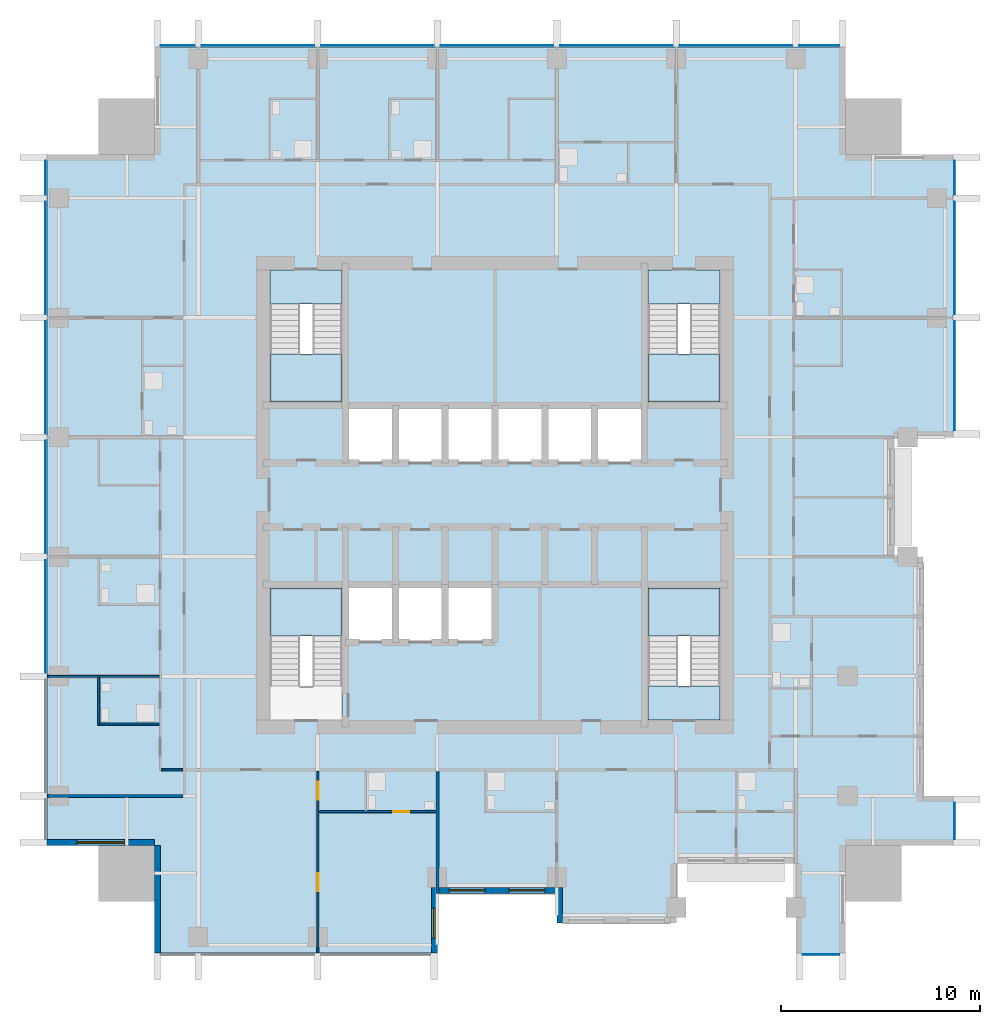
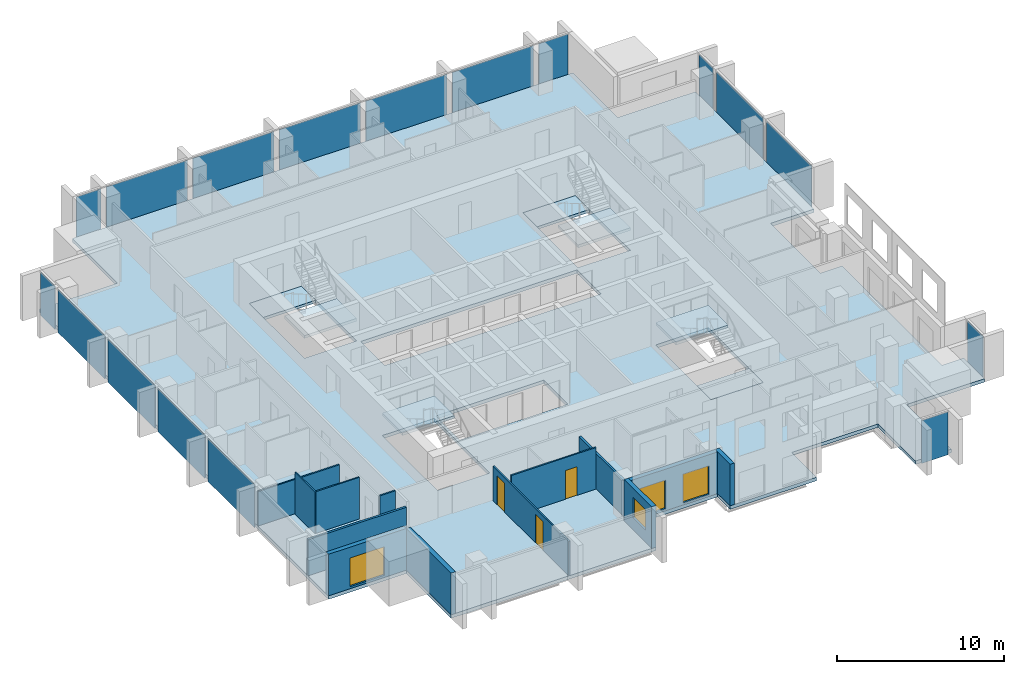
# One storey, part 3 of 11: 17 plates, 13 walls, 8 slabs, 4 windows, 3 doors, 7 openings, 9 elements without a shape of their own.
"""IFC4 building model written with IfcOpenShell, lengths in metres."""

from ifc_helpers import new_model, si_unit, direction, frame, frame_2d, origin, origin_2d, place, context, subcontext, project, spatial, polyline, rectangle, outline, extrude, material, layer, layer_set, type_object, element, fill, aggregate, save


model = new_model("IFC4")

# Units and contexts
model_context = context("Model", 3, precision=1e-05, world=origin(), true_north=direction((0.0, 1.0)))
body_context = subcontext(model_context, "Body", "Model", "MODEL_VIEW")
ifc_project = project(units=[si_unit("LENGTHUNIT", "METRE"), si_unit("AREAUNIT", "SQUARE_METRE"), si_unit("VOLUMEUNIT", "CUBIC_METRE"), si_unit("PLANEANGLEUNIT", "RADIAN"), si_unit("MASSUNIT", "GRAM", prefix="KILO")], contexts=[model_context])

# Site, building, storey
site_placement = place(None, origin())
site = spatial("IfcSite", under=ifc_project, at=site_placement, CompositionType="ELEMENT")
building_placement = place(site_placement, origin())
building = spatial("IfcBuilding", under=site, at=building_placement, Name="Amberfall Residences", CompositionType="ELEMENT")
storey_placement = place(building_placement, frame((0.0, 0.0, 171.39990234375)))
storey = spatial("IfcBuildingStorey", under=building, at=storey_placement, Name="L46", CompositionType="ELEMENT", Elevation=171.39990234375)

# Curtain wall, plate
ifc_material_1 = material(Name="Bronze anodised aluminium and glass", Category="aluminium")
curtain_wall_type = type_object("IfcCurtainWallType", Name="Curtain wall CW1 tower unit", PredefinedType="USERDEFINED", material=ifc_material_1)
curtain_wall_1_placement = place(storey_placement, origin())
curtain_wall_1 = element("IfcCurtainWall", 1, at=curtain_wall_1_placement, inside=storey, type_object=curtain_wall_type, Name="Curtain wall L46 S S9", ObjectType="UNITISED CURTAIN WALL", PredefinedType="USERDEFINED")
ifc_material_2 = material(Name="Tinted double glazed unit", Category="glass")
ifc_layer_1 = layer(ifc_material_2, 0.035888671875)
ifc_layer_set_1 = layer_set([ifc_layer_1], Name="CW1 panel 36 glazing")
plate_type = type_object("IfcPlateType", Name="CW1 panel 36 glazing", PredefinedType="CURTAIN_PANEL", material=ifc_layer_set_1)
plate_1_placement = place(storey_placement, frame((90.875, 22.425048828125, -0.249755859375), z_axis=(0.0, 0.0, 1.0), x_axis=(1.0, 0.0, 0.0)))
plate_1 = element("IfcPlate", 2, at=plate_1_placement, type_object=plate_type, Name="CW1 panel 1.1", PredefinedType="CURTAIN_PANEL", context=body_context, shape_type="SweptSolid", body=[
    extrude(rectangle(XDim=1.825927734375, YDim=0.035888671875, at=origin_2d()), origin(), (0.0, 0.0, 1.0), 3.14990234375),
])
aggregate(curtain_wall_1, [plate_1])

curtain_wall_2_placement = place(storey_placement, origin())
curtain_wall_2 = element("IfcCurtainWall", 3, at=curtain_wall_2_placement, inside=storey, type_object=curtain_wall_type, Name="Curtain wall L46 E E1", ObjectType="UNITISED CURTAIN WALL", PredefinedType="USERDEFINED")
plate_2_placement = place(storey_placement, frame((97.574951171875, 29.125, -0.249755859375), z_axis=(0.0, 0.0, 1.0), x_axis=(0.0, 1.0, 0.0)))
plate_2 = element("IfcPlate", 4, at=plate_2_placement, type_object=plate_type, Name="CW1 panel 1.1", PredefinedType="CURTAIN_PANEL", context=body_context, shape_type="SweptSolid", body=[
    extrude(rectangle(XDim=1.825927734375, YDim=0.035888671875, at=origin_2d()), origin(), (0.0, 0.0, 1.0), 3.14990234375),
])
aggregate(curtain_wall_2, [plate_2])

# Curtain wall, plates
curtain_wall_3_placement = place(storey_placement, origin())
curtain_wall_3 = element("IfcCurtainWall", 5, at=curtain_wall_3_placement, inside=storey, type_object=curtain_wall_type, Name="Curtain wall L46 E E8", ObjectType="UNITISED CURTAIN WALL", PredefinedType="USERDEFINED")
plate_3_placement = place(storey_placement, frame((97.574951171875, 51.487548828125, -0.249755859375), z_axis=(0.0, 0.0, 1.0), x_axis=(0.0, 1.0, 0.0)))
plate_3 = element("IfcPlate", 6, at=plate_3_placement, type_object=plate_type, Name="CW1 panel 1.1", PredefinedType="CURTAIN_PANEL", context=body_context, shape_type="SweptSolid", body=[
    extrude(rectangle(XDim=5.450927734375, YDim=0.035888671875, at=origin_2d()), origin(), (0.0, 0.0, 1.0), 3.14990234375),
])
plate_4_placement = place(storey_placement, frame((97.574951171875, 57.39990234375, -0.249755859375), z_axis=(0.0, 0.0, 1.0), x_axis=(0.0, 1.0, 0.0)))
plate_4 = element("IfcPlate", 7, at=plate_4_placement, type_object=plate_type, Name="CW1 panel 2.1", PredefinedType="CURTAIN_PANEL", context=body_context, shape_type="SweptSolid", body=[
    extrude(rectangle(XDim=5.6259765625, YDim=0.035888671875, at=origin_2d()), origin(), (0.0, 0.0, 1.0), 3.14990234375),
])
plate_5_placement = place(storey_placement, frame((97.574951171875, 61.4375, -0.249755859375), z_axis=(0.0, 0.0, 1.0), x_axis=(0.0, 1.0, 0.0)))
plate_5 = element("IfcPlate", 8, at=plate_5_placement, type_object=plate_type, Name="CW1 panel 3.1", PredefinedType="CURTAIN_PANEL", context=body_context, shape_type="SweptSolid", body=[
    extrude(rectangle(XDim=1.700927734375, YDim=0.035888671875, at=origin_2d()), origin(), (0.0, 0.0, 1.0), 3.14990234375),
])
aggregate(curtain_wall_3, [plate_3, plate_4, plate_5])

curtain_wall_4_placement = place(storey_placement, origin())
curtain_wall_4 = element("IfcCurtainWall", 9, at=curtain_wall_4_placement, inside=storey, type_object=curtain_wall_type, Name="Curtain wall L46 N N1", ObjectType="UNITISED CURTAIN WALL", PredefinedType="USERDEFINED")
plate_6_placement = place(storey_placement, frame((90.78759765625, 68.074951171875, -0.249755859375), z_axis=(0.0, 0.0, 1.0), x_axis=(-1.0, 0.0, 0.0)))
plate_6 = element("IfcPlate", 10, at=plate_6_placement, type_object=plate_type, Name="CW1 panel 1.1", PredefinedType="CURTAIN_PANEL", context=body_context, shape_type="SweptSolid", body=[
    extrude(rectangle(XDim=2.0009765625, YDim=0.035888671875, at=origin_2d()), origin(), (0.0, 0.0, 1.0), 3.14990234375),
])
plate_7_placement = place(storey_placement, frame((86.60009765625, 68.074951171875, -0.249755859375), z_axis=(0.0, 0.0, 1.0), x_axis=(-1.0, 0.0, 0.0)))
plate_7 = element("IfcPlate", 11, at=plate_7_placement, type_object=plate_type, Name="CW1 panel 2.1", PredefinedType="CURTAIN_PANEL", context=body_context, shape_type="SweptSolid", body=[
    extrude(rectangle(XDim=5.6259765625, YDim=0.035888671875, at=origin_2d()), origin(), (0.0, 0.0, 1.0), 3.14990234375),
])
plate_8_placement = place(storey_placement, frame((80.60009765625, 68.074951171875, -0.249755859375), z_axis=(0.0, 0.0, 1.0), x_axis=(-1.0, 0.0, 0.0)))
plate_8 = element("IfcPlate", 12, at=plate_8_placement, type_object=plate_type, Name="CW1 panel 3.1", PredefinedType="CURTAIN_PANEL", context=body_context, shape_type="SweptSolid", body=[
    extrude(rectangle(XDim=5.6259765625, YDim=0.035888671875, at=origin_2d()), origin(), (0.0, 0.0, 1.0), 3.14990234375),
])
plate_9_placement = place(storey_placement, frame((74.60009765625, 68.074951171875, -0.249755859375), z_axis=(0.0, 0.0, 1.0), x_axis=(-1.0, 0.0, 0.0)))
plate_9 = element("IfcPlate", 13, at=plate_9_placement, type_object=plate_type, Name="CW1 panel 4.1", PredefinedType="CURTAIN_PANEL", context=body_context, shape_type="SweptSolid", body=[
    extrude(rectangle(XDim=5.6259765625, YDim=0.035888671875, at=origin_2d()), origin(), (0.0, 0.0, 1.0), 3.14990234375),
])
plate_10_placement = place(storey_placement, frame((68.60009765625, 68.074951171875, -0.249755859375), z_axis=(0.0, 0.0, 1.0), x_axis=(-1.0, 0.0, 0.0)))
plate_10 = element("IfcPlate", 14, at=plate_10_placement, type_object=plate_type, Name="CW1 panel 5.1", PredefinedType="CURTAIN_PANEL", context=body_context, shape_type="SweptSolid", body=[
    extrude(rectangle(XDim=5.6259765625, YDim=0.035888671875, at=origin_2d()), origin(), (0.0, 0.0, 1.0), 3.14990234375),
])
plate_11_placement = place(storey_placement, frame((62.60009765625, 68.074951171875, -0.249755859375), z_axis=(0.0, 0.0, 1.0), x_axis=(-1.0, 0.0, 0.0)))
plate_11 = element("IfcPlate", 15, at=plate_11_placement, type_object=plate_type, Name="CW1 panel 6.1", PredefinedType="CURTAIN_PANEL", context=body_context, shape_type="SweptSolid", body=[
    extrude(rectangle(XDim=5.6259765625, YDim=0.035888671875, at=origin_2d()), origin(), (0.0, 0.0, 1.0), 3.14990234375),
])
plate_12_placement = place(storey_placement, frame((58.5625, 68.074951171875, -0.249755859375), z_axis=(0.0, 0.0, 1.0), x_axis=(-1.0, 0.0, 0.0)))
plate_12 = element("IfcPlate", 16, at=plate_12_placement, type_object=plate_type, Name="CW1 panel 7.1", PredefinedType="CURTAIN_PANEL", context=body_context, shape_type="SweptSolid", body=[
    extrude(rectangle(XDim=1.700927734375, YDim=0.035888671875, at=origin_2d()), origin(), (0.0, 0.0, 1.0), 3.14990234375),
])
aggregate(curtain_wall_4, [plate_6, plate_7, plate_8, plate_9, plate_10, plate_11, plate_12])

curtain_wall_5_placement = place(storey_placement, origin())
curtain_wall_5 = element("IfcCurtainWall", 17, at=curtain_wall_5_placement, inside=storey, type_object=curtain_wall_type, Name="Curtain wall L46 W W1", ObjectType="UNITISED CURTAIN WALL", PredefinedType="USERDEFINED")
plate_13_placement = place(storey_placement, frame((51.925048828125, 61.4375, -0.249755859375), z_axis=(0.0, 0.0, 1.0), x_axis=(0.0, -1.0, 0.0)))
plate_13 = element("IfcPlate", 18, at=plate_13_placement, type_object=plate_type, Name="CW1 panel 1.1", PredefinedType="CURTAIN_PANEL", context=body_context, shape_type="SweptSolid", body=[
    extrude(rectangle(XDim=1.700927734375, YDim=0.035888671875, at=origin_2d()), origin(), (0.0, 0.0, 1.0), 3.14990234375),
])
plate_14_placement = place(storey_placement, frame((51.925048828125, 57.39990234375, -0.249755859375), z_axis=(0.0, 0.0, 1.0), x_axis=(0.0, -1.0, 0.0)))
plate_14 = element("IfcPlate", 19, at=plate_14_placement, type_object=plate_type, Name="CW1 panel 2.1", PredefinedType="CURTAIN_PANEL", context=body_context, shape_type="SweptSolid", body=[
    extrude(rectangle(XDim=5.6259765625, YDim=0.035888671875, at=origin_2d()), origin(), (0.0, 0.0, 1.0), 3.14990234375),
])
plate_15_placement = place(storey_placement, frame((51.925048828125, 51.39990234375, -0.249755859375), z_axis=(0.0, 0.0, 1.0), x_axis=(0.0, -1.0, 0.0)))
plate_15 = element("IfcPlate", 20, at=plate_15_placement, type_object=plate_type, Name="CW1 panel 3.1", PredefinedType="CURTAIN_PANEL", context=body_context, shape_type="SweptSolid", body=[
    extrude(rectangle(XDim=5.6259765625, YDim=0.035888671875, at=origin_2d()), origin(), (0.0, 0.0, 1.0), 3.14990234375),
])
plate_16_placement = place(storey_placement, frame((51.925048828125, 45.39990234375, -0.249755859375), z_axis=(0.0, 0.0, 1.0), x_axis=(0.0, -1.0, 0.0)))
plate_16 = element("IfcPlate", 21, at=plate_16_placement, type_object=plate_type, Name="CW1 panel 4.1", PredefinedType="CURTAIN_PANEL", context=body_context, shape_type="SweptSolid", body=[
    extrude(rectangle(XDim=5.6259765625, YDim=0.035888671875, at=origin_2d()), origin(), (0.0, 0.0, 1.0), 3.14990234375),
])
plate_17_placement = place(storey_placement, frame((51.925048828125, 39.39990234375, -0.249755859375), z_axis=(0.0, 0.0, 1.0), x_axis=(0.0, -1.0, 0.0)))
plate_17 = element("IfcPlate", 22, at=plate_17_placement, type_object=plate_type, Name="CW1 panel 5.1", PredefinedType="CURTAIN_PANEL", context=body_context, shape_type="SweptSolid", body=[
    extrude(rectangle(XDim=5.6259765625, YDim=0.035888671875, at=origin_2d()), origin(), (0.0, 0.0, 1.0), 3.14990234375),
])
aggregate(curtain_wall_5, [plate_13, plate_14, plate_15, plate_16, plate_17])

# Slab
ifc_material_3 = material(Name="Concrete C60", Category="concrete")
ifc_layer_2 = layer(ifc_material_3, 0.25)
ifc_layer_set_2 = layer_set([ifc_layer_2], Name="Floor slab 250 C60")
slab_type_1 = type_object("IfcSlabType", Name="Floor slab 250 C60", PredefinedType="FLOOR", material=ifc_layer_set_2)
slab_1_placement = place(storey_placement, frame((0.0, 0.0, -0.25)))
element("IfcSlab", 23, at=slab_1_placement, inside=storey, type_object=slab_type_1, Name="Floor slab S10 L46", PredefinedType="FLOOR", context=body_context, shape_type="SweptSolid", body=[
    extrude(outline(polyline([(89.60009765625, 22.5), (89.60009765625, 27.0), (83.60009765625, 27.0), (83.60009765625, 24.0), (77.60009765625, 24.0), (77.60009765625, 25.5), (71.60009765625, 25.5), (71.60009765625, 22.5), (57.39990234375, 22.5), (57.39990234375, 27.89990234375), (52.0, 27.89990234375), (52.0, 62.60009765625), (57.39990234375, 62.60009765625), (57.39990234375, 68.0), (92.10009765625, 68.0), (92.10009765625, 62.60009765625), (97.5, 62.60009765625), (97.5, 48.39990234375), (94.5, 48.39990234375), (94.5, 42.39990234375), (96.0, 42.39990234375), (96.0, 36.39990234375), (96.0, 30.39990234375), (97.5, 30.39990234375), (97.5, 27.89990234375), (92.10009765625, 27.89990234375), (92.10009765625, 22.5), (89.60009765625, 22.5)]), holes=[polyline([(85.800048828125, 34.199951171875), (85.800048828125, 40.824951171875), (82.175048828125, 40.824951171875), (82.175048828125, 34.199951171875), (85.800048828125, 34.199951171875)]), polyline([(85.800048828125, 50.175048828125), (85.800048828125, 56.800048828125), (82.175048828125, 56.800048828125), (82.175048828125, 50.175048828125), (85.800048828125, 50.175048828125)]), polyline([(67.0, 50.0), (67.0, 47.10009765625), (69.5, 47.10009765625), (72.0, 47.10009765625), (74.5, 47.10009765625), (77.0, 47.10009765625), (79.5, 47.10009765625), (82.0, 47.10009765625), (82.0, 50.0), (79.5, 50.0), (77.0, 50.0), (74.5, 50.0), (72.0, 50.0), (69.5, 50.0), (67.0, 50.0)]), polyline([(69.5, 41.0), (67.0, 41.0), (67.0, 38.10009765625), (69.5, 38.10009765625), (72.0, 38.10009765625), (74.5, 38.10009765625), (74.5, 41.0), (72.0, 41.0), (69.5, 41.0)]), polyline([(66.824951171875, 40.824951171875), (63.199951171875, 40.824951171875), (63.199951171875, 34.199951171875), (66.824951171875, 34.199951171875), (66.824951171875, 40.824951171875)]), polyline([(66.824951171875, 56.800048828125), (63.199951171875, 56.800048828125), (63.199951171875, 50.175048828125), (66.824951171875, 50.175048828125), (66.824951171875, 56.800048828125)])]), origin(), (0.0, 0.0, 1.0), 0.25),
])

# Stair, slab
ifc_material_4 = material(Name="Concrete C40", Category="concrete")
stair_type = type_object("IfcStairType", Name="Exit stair 20 risers 165.0 mm", PredefinedType="HALF_TURN_STAIR", material=ifc_material_4)
stair_1_placement = place(storey_placement, origin())
stair_1 = element("IfcStair", 24, at=stair_1_placement, inside=storey, type_object=stair_type, Name="L46 Exit stair 1", PredefinedType="HALF_TURN_STAIR")
ifc_layer_3 = layer(ifc_material_4, 0.199951171875)
ifc_layer_set_3 = layer_set([ifc_layer_3], Name="Stair landing 200")
slab_type_2 = type_object("IfcSlabType", Name="Stair landing 200", PredefinedType="LANDING", material=ifc_layer_set_3)
slab_2_placement = place(storey_placement, frame((0.0, 0.0, 1.4501953125)))
slab_2 = element("IfcSlab", 25, at=slab_2_placement, type_object=slab_type_2, Name="ST3 landing 1", PredefinedType="LANDING", context=body_context, shape_type="SweptSolid", body=[
    extrude(outline(polyline([(66.824951171875, 38.419921875), (66.824951171875, 40.824951171875), (63.199951171875, 40.824951171875), (63.199951171875, 38.419921875), (66.824951171875, 38.419921875)])), origin(), (0.0, 0.0, 1.0), 0.199951171875),
])
aggregate(stair_1, [slab_2])

# Stair, slabs
stair_2_placement = place(storey_placement, origin())
stair_2 = element("IfcStair", 26, at=stair_2_placement, inside=storey, type_object=stair_type, Name="L46 Exit stair 2", PredefinedType="HALF_TURN_STAIR")
slab_3_placement = place(storey_placement, frame((0.0, 0.0, 1.4501953125)))
slab_3 = element("IfcSlab", 27, at=slab_3_placement, type_object=slab_type_2, Name="ST3 landing 1", PredefinedType="LANDING", context=body_context, shape_type="SweptSolid", body=[
    extrude(outline(polyline([(85.800048828125, 38.419921875), (85.800048828125, 40.824951171875), (82.175048828125, 40.824951171875), (82.175048828125, 38.419921875), (85.800048828125, 38.419921875)])), origin(), (0.0, 0.0, 1.0), 0.199951171875),
])
slab_4_placement = place(storey_placement, frame((0.0, 0.0, -0.199951171875)))
slab_4 = element("IfcSlab", 28, at=slab_4_placement, type_object=slab_type_2, Name="ST3 landing 2", PredefinedType="LANDING", context=body_context, shape_type="SweptSolid", body=[
    extrude(outline(polyline([(85.800048828125, 34.199951171875), (85.800048828125, 35.89990234375), (82.175048828125, 35.89990234375), (82.175048828125, 34.199951171875), (85.800048828125, 34.199951171875)])), origin(), (0.0, 0.0, 1.0), 0.199951171875),
])
aggregate(stair_2, [slab_3, slab_4])

stair_3_placement = place(storey_placement, origin())
stair_3 = element("IfcStair", 29, at=stair_3_placement, inside=storey, type_object=stair_type, Name="L46 Exit stair 3", PredefinedType="HALF_TURN_STAIR")
slab_5_placement = place(storey_placement, frame((0.0, 0.0, 1.4501953125)))
slab_5 = element("IfcSlab", 30, at=slab_5_placement, type_object=slab_type_2, Name="ST3 landing 1", PredefinedType="LANDING", context=body_context, shape_type="SweptSolid", body=[
    extrude(outline(polyline([(82.175048828125, 52.580078125), (82.175048828125, 50.175048828125), (85.800048828125, 50.175048828125), (85.800048828125, 52.580078125), (82.175048828125, 52.580078125)])), origin(), (0.0, 0.0, 1.0), 0.199951171875),
])
slab_6_placement = place(storey_placement, frame((0.0, 0.0, -0.199951171875)))
slab_6 = element("IfcSlab", 31, at=slab_6_placement, type_object=slab_type_2, Name="ST3 landing 2", PredefinedType="LANDING", context=body_context, shape_type="SweptSolid", body=[
    extrude(outline(polyline([(82.175048828125, 56.800048828125), (82.175048828125, 55.10009765625), (85.800048828125, 55.10009765625), (85.800048828125, 56.800048828125), (82.175048828125, 56.800048828125)])), origin(), (0.0, 0.0, 1.0), 0.199951171875),
])
aggregate(stair_3, [slab_5, slab_6])

stair_4_placement = place(storey_placement, origin())
stair_4 = element("IfcStair", 32, at=stair_4_placement, inside=storey, type_object=stair_type, Name="L46 Exit stair 4", PredefinedType="HALF_TURN_STAIR")
slab_7_placement = place(storey_placement, frame((0.0, 0.0, 1.4501953125)))
slab_7 = element("IfcSlab", 33, at=slab_7_placement, type_object=slab_type_2, Name="ST3 landing 1", PredefinedType="LANDING", context=body_context, shape_type="SweptSolid", body=[
    extrude(outline(polyline([(63.199951171875, 52.580078125), (63.199951171875, 50.175048828125), (66.824951171875, 50.175048828125), (66.824951171875, 52.580078125), (63.199951171875, 52.580078125)])), origin(), (0.0, 0.0, 1.0), 0.199951171875),
])
slab_8_placement = place(storey_placement, frame((0.0, 0.0, -0.199951171875)))
slab_8 = element("IfcSlab", 34, at=slab_8_placement, type_object=slab_type_2, Name="ST3 landing 2", PredefinedType="LANDING", context=body_context, shape_type="SweptSolid", body=[
    extrude(outline(polyline([(63.199951171875, 56.800048828125), (63.199951171875, 55.10009765625), (66.824951171875, 55.10009765625), (66.824951171875, 56.800048828125), (63.199951171875, 56.800048828125)])), origin(), (0.0, 0.0, 1.0), 0.199951171875),
])
aggregate(stair_4, [slab_7, slab_8])

# Wall, opening, window
ifc_material_5 = material(Name="Pale stone cladding on insulated backing", Category="masonry")
ifc_layer_4 = layer(ifc_material_5, 0.300048828125)
ifc_layer_set_4 = layer_set([ifc_layer_4], Name="Bronze clad wall 300")
wall_type_1 = type_object("IfcWallType", Name="Bronze clad wall 300", PredefinedType="SOLIDWALL", material=ifc_layer_set_4)
wall_1_placement = place(storey_placement, frame((71.449951171875, 22.5, 0.0), z_axis=(0.0, 0.0, 1.0), x_axis=(0.0, 1.0, 0.0)))
wall_1 = element("IfcWall", 35, at=wall_1_placement, inside=storey, type_object=wall_type_1, Name="External wall L46 S", PredefinedType="SOLIDWALL", context=body_context, shape_type="SweptSolid", body=[
    extrude(rectangle(XDim=3.300048828125, YDim=0.300048828125, at=frame_2d((1.64990234375, 0.0))), origin(), (0.0, 0.0, 1.0), 3.050048828125),
])
opening_1_placement = place(wall_1_placement, frame((0.75, 0.0, 0.89990234375)))
opening_1 = element("IfcOpeningElement", 36, at=opening_1_placement, cuts=wall_1, Name="Opening WN1", PredefinedType="OPENING", context=body_context, shape_type="SweptSolid", body=[
    extrude(rectangle(XDim=1.5, YDim=1.5, at=frame_2d((0.75, 0.75))), frame((0.0, 0.159912109375, 0.0), z_axis=(0.0, -1.0, 0.0), x_axis=(1.0, 0.0, 0.0)), (0.0, 0.0, 1.0), 0.320068359375),
])
ifc_material_6 = material(Name="Bronze aluminium framed glazing", Category="aluminium")
window_type_1 = type_object("IfcWindowType", Name="Window 1500 x 1500 bronze", PartitioningType="DOUBLE_PANEL_VERTICAL", PredefinedType="WINDOW", material=ifc_material_6)
window_1_placement = place(opening_1_placement, origin())
window_1 = element("IfcWindow", 37, at=window_1_placement, inside=storey, type_object=window_type_1, Name="Window L46 S", OverallHeight=1.5, OverallWidth=1.5, PartitioningType="DOUBLE_PANEL_VERTICAL", PredefinedType="WINDOW", context=body_context, shape_type="SweptSolid", body=[
    extrude(rectangle(XDim=1.5, YDim=1.5, at=frame_2d((0.75, 0.75))), frame((0.0, 0.030029296875, 0.0), z_axis=(0.0, -1.0, 0.0), x_axis=(1.0, 0.0, 0.0)), (0.0, 0.0, 1.0), 0.06005859375),
])
fill(opening_1, window_1)

# Wall
wall_2_placement = place(storey_placement, frame((77.75, 25.800048828125, 0.0), z_axis=(0.0, 0.0, 1.0), x_axis=(0.0, -1.0, 0.0)))
element("IfcWall", 38, at=wall_2_placement, inside=storey, type_object=wall_type_1, Name="External wall L46 S", PredefinedType="SOLIDWALL", context=body_context, shape_type="SweptSolid", body=[
    extrude(rectangle(XDim=1.800048828125, YDim=0.300048828125, at=frame_2d((0.89990234375, 0.0))), origin(), (0.0, 0.0, 1.0), 3.050048828125),
])

# Wall, opening, window
wall_3_placement = place(storey_placement, frame((52.0, 28.050048828125, 0.0), z_axis=(0.0, 0.0, 1.0), x_axis=(1.0, 0.0, 0.0)))
wall_3 = element("IfcWall", 39, at=wall_3_placement, inside=storey, type_object=wall_type_1, Name="External wall L46 SW", PredefinedType="SOLIDWALL", context=body_context, shape_type="SweptSolid", body=[
    extrude(rectangle(XDim=5.39990234375, YDim=0.300048828125, at=frame_2d((2.699951171875, 0.0))), origin(), (0.0, 0.0, 1.0), 3.050048828125),
])
opening_2_placement = place(wall_3_placement, frame((1.5, 0.0, 0.14990234375)))
opening_2 = element("IfcOpeningElement", 40, at=opening_2_placement, cuts=wall_3, Name="Opening WN5", PredefinedType="OPENING", context=body_context, shape_type="SweptSolid", body=[
    extrude(rectangle(XDim=2.39990234375, YDim=2.10009765625, at=frame_2d((1.199951171875, 1.050048828125))), frame((0.0, 0.159912109375, 0.0), z_axis=(0.0, -1.0, 0.0), x_axis=(1.0, 0.0, 0.0)), (0.0, 0.0, 1.0), 0.320068359375),
])
window_type_2 = type_object("IfcWindowType", Name="Glazed opening 2400 x 2100 bronze", PartitioningType="DOUBLE_PANEL_VERTICAL", PredefinedType="WINDOW", material=ifc_material_6)
window_2_placement = place(opening_2_placement, origin())
window_2 = element("IfcWindow", 41, at=window_2_placement, inside=storey, type_object=window_type_2, Name="Window L46 SW", OverallHeight=2.10009765625, OverallWidth=2.39990234375, PartitioningType="DOUBLE_PANEL_VERTICAL", PredefinedType="WINDOW", context=body_context, shape_type="SweptSolid", body=[
    extrude(rectangle(XDim=2.39990234375, YDim=2.10009765625, at=frame_2d((1.199951171875, 1.050048828125))), frame((0.0, 0.030029296875, 0.0), z_axis=(0.0, -1.0, 0.0), x_axis=(1.0, 0.0, 0.0)), (0.0, 0.0, 1.0), 0.06005859375),
])
fill(opening_2, window_2)

# Wall
wall_4_placement = place(storey_placement, frame((57.550048828125, 27.89990234375, 0.0), z_axis=(0.0, 0.0, 1.0), x_axis=(0.0, -1.0, 0.0)))
element("IfcWall", 42, at=wall_4_placement, inside=storey, type_object=wall_type_1, Name="External wall L46 SW", PredefinedType="SOLIDWALL", context=body_context, shape_type="SweptSolid", body=[
    extrude(rectangle(XDim=5.39990234375, YDim=0.300048828125, at=frame_2d((2.699951171875, 0.0))), origin(), (0.0, 0.0, 1.0), 3.050048828125),
])

# Wall, openings, windows
wall_5_placement = place(storey_placement, frame((71.60009765625, 25.64990234375, 0.0), z_axis=(0.0, 0.0, 1.0), x_axis=(1.0, 0.0, 0.0)))
wall_5 = element("IfcWall", 43, at=wall_5_placement, inside=storey, type_object=wall_type_1, Name="Stone wall L46 S", PredefinedType="SOLIDWALL", context=body_context, shape_type="SweptSolid", body=[
    extrude(rectangle(XDim=6.0, YDim=0.300048828125, at=frame_2d((3.0, 0.0))), origin(), (0.0, 0.0, 1.0), 3.050048828125),
])
opening_3_placement = place(wall_5_placement, frame((0.60009765625, 0.0, 0.14990234375)))
opening_3 = element("IfcOpeningElement", 44, at=opening_3_placement, cuts=wall_5, Name="Opening WN6", PredefinedType="OPENING", context=body_context, shape_type="SweptSolid", body=[
    extrude(rectangle(XDim=1.800048828125, YDim=2.10009765625, at=frame_2d((0.89990234375, 1.050048828125))), frame((0.0, 0.159912109375, 0.0), z_axis=(0.0, -1.0, 0.0), x_axis=(1.0, 0.0, 0.0)), (0.0, 0.0, 1.0), 0.320068359375),
])
opening_4_placement = place(wall_5_placement, frame((3.60009765625, 0.0, 0.14990234375)))
opening_4 = element("IfcOpeningElement", 45, at=opening_4_placement, cuts=wall_5, Name="Opening WN6", PredefinedType="OPENING", context=body_context, shape_type="SweptSolid", body=[
    extrude(rectangle(XDim=1.800048828125, YDim=2.10009765625, at=frame_2d((0.89990234375, 1.050048828125))), frame((0.0, 0.159912109375, 0.0), z_axis=(0.0, -1.0, 0.0), x_axis=(1.0, 0.0, 0.0)), (0.0, 0.0, 1.0), 0.320068359375),
])
window_type_3 = type_object("IfcWindowType", Name="Glazed opening 1800 x 2100 bronze", PartitioningType="DOUBLE_PANEL_VERTICAL", PredefinedType="WINDOW", material=ifc_material_6)
window_3_placement = place(opening_3_placement, origin())
window_3 = element("IfcWindow", 46, at=window_3_placement, inside=storey, type_object=window_type_3, Name="Window L46 S", OverallHeight=2.10009765625, OverallWidth=1.800048828125, PartitioningType="DOUBLE_PANEL_VERTICAL", PredefinedType="WINDOW", context=body_context, shape_type="SweptSolid", body=[
    extrude(rectangle(XDim=1.800048828125, YDim=2.10009765625, at=frame_2d((0.89990234375, 1.050048828125))), frame((0.0, 0.030029296875, 0.0), z_axis=(0.0, -1.0, 0.0), x_axis=(1.0, 0.0, 0.0)), (0.0, 0.0, 1.0), 0.06005859375),
])
fill(opening_3, window_3)
window_4_placement = place(opening_4_placement, origin())
window_4 = element("IfcWindow", 47, at=window_4_placement, inside=storey, type_object=window_type_3, Name="Window L46 S", OverallHeight=2.10009765625, OverallWidth=1.800048828125, PartitioningType="DOUBLE_PANEL_VERTICAL", PredefinedType="WINDOW", context=body_context, shape_type="SweptSolid", body=[
    extrude(rectangle(XDim=1.800048828125, YDim=2.10009765625, at=frame_2d((0.89990234375, 1.050048828125))), frame((0.0, 0.030029296875, 0.0), z_axis=(0.0, -1.0, 0.0), x_axis=(1.0, 0.0, 0.0)), (0.0, 0.0, 1.0), 0.06005859375),
])
fill(opening_4, window_4)

# Wall
ifc_material_7 = material(Name="Gypsum board on metal stud")
ifc_layer_5 = layer(ifc_material_7, 0.10009765625)
ifc_layer_set_5 = layer_set([ifc_layer_5], Name="Flat partition 100")
wall_type_2 = type_object("IfcWallType", Name="Flat partition 100", PredefinedType="PARTITIONING", material=ifc_layer_set_5)
wall_6_placement = place(storey_placement, frame((54.60009765625, 33.949951171875, 0.0), z_axis=(0.0, 0.0, 1.0), x_axis=(0.0, 1.0, 0.0)))
element("IfcWall", 48, at=wall_6_placement, inside=storey, type_object=wall_type_2, Name="Partition 001", PredefinedType="PARTITIONING", context=body_context, shape_type="SweptSolid", body=[
    extrude(rectangle(XDim=2.400146484375, YDim=0.10009765625, at=frame_2d((1.2001953125, 0.0))), origin(), (0.0, 0.0, 1.0), 3.050048828125),
])

# Wall, openings, doors
wall_7_placement = place(storey_placement, frame((65.60009765625, 31.625, 0.0), z_axis=(0.0, 0.0, 1.0), x_axis=(0.0, -1.0, 0.0)))
wall_7 = element("IfcWall", 49, at=wall_7_placement, inside=storey, type_object=wall_type_2, Name="Partition 007", PredefinedType="PARTITIONING", context=body_context, shape_type="SweptSolid", body=[
    extrude(rectangle(XDim=9.125, YDim=0.10009765625, at=frame_2d((4.5625, 0.0))), origin(), (0.0, 0.0, 1.0), 2.51611328125),
])
opening_5_placement = place(wall_7_placement, frame((0.52490234375, 0.0, 0.0)))
opening_5 = element("IfcOpeningElement", 50, at=opening_5_placement, cuts=wall_7, Name="Opening D41", PredefinedType="OPENING", context=body_context, shape_type="SweptSolid", body=[
    extrude(rectangle(XDim=0.89990234375, YDim=2.10009765625, at=frame_2d((0.449951171875, 1.050048828125))), frame((0.0, 0.06005859375, 0.0), z_axis=(0.0, -1.0, 0.0), x_axis=(1.0, 0.0, 0.0)), (0.0, 0.0, 1.0), 0.1201171875),
])
opening_6_placement = place(wall_7_placement, frame((5.125, 0.0, 0.0)))
opening_6 = element("IfcOpeningElement", 51, at=opening_6_placement, cuts=wall_7, Name="Opening D41", PredefinedType="OPENING", context=body_context, shape_type="SweptSolid", body=[
    extrude(rectangle(XDim=0.89990234375, YDim=2.10009765625, at=frame_2d((0.449951171875, 1.050048828125))), frame((0.0, 0.06005859375, 0.0), z_axis=(0.0, -1.0, 0.0), x_axis=(1.0, 0.0, 0.0)), (0.0, 0.0, 1.0), 0.1201171875),
])
ifc_material_8 = material(Name="Timber", Category="wood")
door_type_1 = type_object("IfcDoorType", Name="Internal door 900 x 2100", OperationType="SINGLE_SWING_LEFT", PredefinedType="DOOR", material=ifc_material_8)
door_1_placement = place(opening_5_placement, origin())
door_1 = element("IfcDoor", 52, at=door_1_placement, inside=storey, type_object=door_type_1, Name="Door 4601 kitchen", OperationType="SINGLE_SWING_LEFT", OverallHeight=2.10009765625, OverallWidth=0.89990234375, PredefinedType="DOOR", context=body_context, shape_type="SweptSolid", body=[
    extrude(rectangle(XDim=0.89990234375, YDim=2.10009765625, at=frame_2d((0.449951171875, 1.050048828125))), frame((0.0, 0.02490234375, 0.0), z_axis=(0.0, -1.0, 0.0), x_axis=(1.0, 0.0, 0.0)), (0.0, 0.0, 1.0), 0.050048828125),
])
fill(opening_5, door_1)
door_2_placement = place(opening_6_placement, origin())
door_2 = element("IfcDoor", 53, at=door_2_placement, inside=storey, type_object=door_type_1, Name="Door 4601 bedroom1", OperationType="SINGLE_SWING_LEFT", OverallHeight=2.10009765625, OverallWidth=0.89990234375, PredefinedType="DOOR", context=body_context, shape_type="SweptSolid", body=[
    extrude(rectangle(XDim=0.89990234375, YDim=2.10009765625, at=frame_2d((0.449951171875, 1.050048828125))), frame((0.0, 0.02490234375, 0.0), z_axis=(0.0, -1.0, 0.0), x_axis=(1.0, 0.0, 0.0)), (0.0, 0.0, 1.0), 0.050048828125),
])
fill(opening_6, door_2)

# Walls
wall_8_placement = place(storey_placement, frame((52.0, 36.39990234375, 0.0), z_axis=(0.0, 0.0, 1.0), x_axis=(1.0, 0.0, 0.0)))
element("IfcWall", 54, at=wall_8_placement, inside=storey, type_object=wall_type_2, Name="Partition 038", PredefinedType="PARTITIONING", context=body_context, shape_type="SweptSolid", body=[
    extrude(rectangle(XDim=5.64990234375, YDim=0.10009765625, at=frame_2d((2.824951171875, 0.0))), origin(), (0.0, 0.0, 1.0), 2.51611328125),
])
wall_9_placement = place(storey_placement, frame((54.64990234375, 34.0, 0.0), z_axis=(0.0, 0.0, 1.0), x_axis=(1.0, 0.0, 0.0)))
element("IfcWall", 55, at=wall_9_placement, inside=storey, type_object=wall_type_2, Name="Partition 040", PredefinedType="PARTITIONING", context=body_context, shape_type="SweptSolid", body=[
    extrude(rectangle(XDim=3.0, YDim=0.10009765625, at=frame_2d((1.5, 0.0))), origin(), (0.0, 0.0, 1.0), 3.050048828125),
])
wall_10_placement = place(storey_placement, frame((57.75, 31.699951171875, 0.0), z_axis=(0.0, 0.0, 1.0), x_axis=(1.0, 0.0, 0.0)))
element("IfcWall", 56, at=wall_10_placement, inside=storey, type_object=wall_type_2, Name="Partition 042", PredefinedType="PARTITIONING", context=body_context, shape_type="SweptSolid", body=[
    extrude(rectangle(XDim=1.074951171875, YDim=0.10009765625, at=frame_2d((0.53759765625, 0.0))), origin(), (0.0, 0.0, 1.0), 3.050048828125),
])

# Wall, opening, door
wall_11_placement = place(storey_placement, frame((65.64990234375, 29.60009765625, 0.0), z_axis=(0.0, 0.0, 1.0), x_axis=(1.0, 0.0, 0.0)))
wall_11 = element("IfcWall", 57, at=wall_11_placement, inside=storey, type_object=wall_type_2, Name="Partition 043", PredefinedType="PARTITIONING", context=body_context, shape_type="SweptSolid", body=[
    extrude(rectangle(XDim=5.875, YDim=0.10009765625, at=frame_2d((2.9375, 0.0))), origin(), (0.0, 0.0, 1.0), 3.050048828125),
])
opening_7_placement = place(wall_11_placement, frame((3.75, 0.0, 0.0)))
opening_7 = element("IfcOpeningElement", 58, at=opening_7_placement, cuts=wall_11, Name="Opening D42", PredefinedType="OPENING", context=body_context, shape_type="SweptSolid", body=[
    extrude(rectangle(XDim=0.800048828125, YDim=2.10009765625, at=frame_2d((0.39990234375, 1.050048828125))), frame((0.0, 0.06005859375, 0.0), z_axis=(0.0, -1.0, 0.0), x_axis=(1.0, 0.0, 0.0)), (0.0, 0.0, 1.0), 0.1201171875),
])
door_type_2 = type_object("IfcDoorType", Name="Bathroom door 800 x 2100", OperationType="SINGLE_SWING_LEFT", PredefinedType="DOOR", material=ifc_material_8)
door_3_placement = place(opening_7_placement, origin())
door_3 = element("IfcDoor", 59, at=door_3_placement, inside=storey, type_object=door_type_2, Name="Door 4601 bath1", OperationType="SINGLE_SWING_LEFT", OverallHeight=2.10009765625, OverallWidth=0.800048828125, PredefinedType="DOOR", context=body_context, shape_type="SweptSolid", body=[
    extrude(rectangle(XDim=0.800048828125, YDim=2.10009765625, at=frame_2d((0.39990234375, 1.050048828125))), frame((0.0, 0.02490234375, 0.0), z_axis=(0.0, -1.0, 0.0), x_axis=(1.0, 0.0, 0.0)), (0.0, 0.0, 1.0), 0.050048828125),
])
fill(opening_7, door_3)

# Walls
ifc_material_9 = material(Name="Blockwork, plastered", Category="masonry")
ifc_layer_6 = layer(ifc_material_9, 0.14990234375)
ifc_layer_set_6 = layer_set([ifc_layer_6], Name="Flat separating wall 150")
wall_type_3 = type_object("IfcWallType", Name="Flat separating wall 150", PredefinedType="PARTITIONING", material=ifc_layer_set_6)
wall_12_placement = place(storey_placement, frame((71.60009765625, 25.5, 0.0), z_axis=(0.0, 0.0, 1.0), x_axis=(0.0, 1.0, 0.0)))
element("IfcWall", 60, at=wall_12_placement, inside=storey, type_object=wall_type_3, Name="Separating wall 048", PredefinedType="PARTITIONING", context=body_context, shape_type="SweptSolid", body=[
    extrude(rectangle(XDim=6.125, YDim=0.14990234375, at=frame_2d((3.0625, 0.0))), origin(), (0.0, 0.0, 1.0), 2.590087890625),
])
wall_13_placement = place(storey_placement, frame((52.0, 30.39990234375, 0.0), z_axis=(0.0, 0.0, 1.0), x_axis=(1.0, 0.0, 0.0)))
element("IfcWall", 61, at=wall_13_placement, inside=storey, type_object=wall_type_3, Name="Separating wall 057", PredefinedType="PARTITIONING", context=body_context, shape_type="SweptSolid", body=[
    extrude(rectangle(XDim=6.824951171875, YDim=0.14990234375, at=frame_2d((3.41259765625, 0.0))), origin(), (0.0, 0.0, 1.0), 2.647216796875),
])

save(model, "model.ifc")
